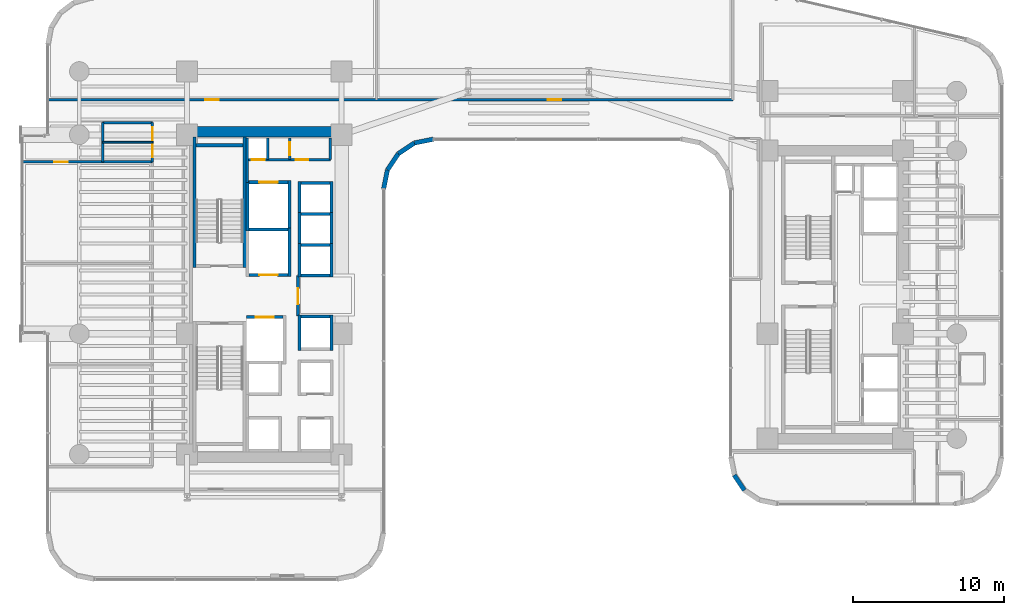
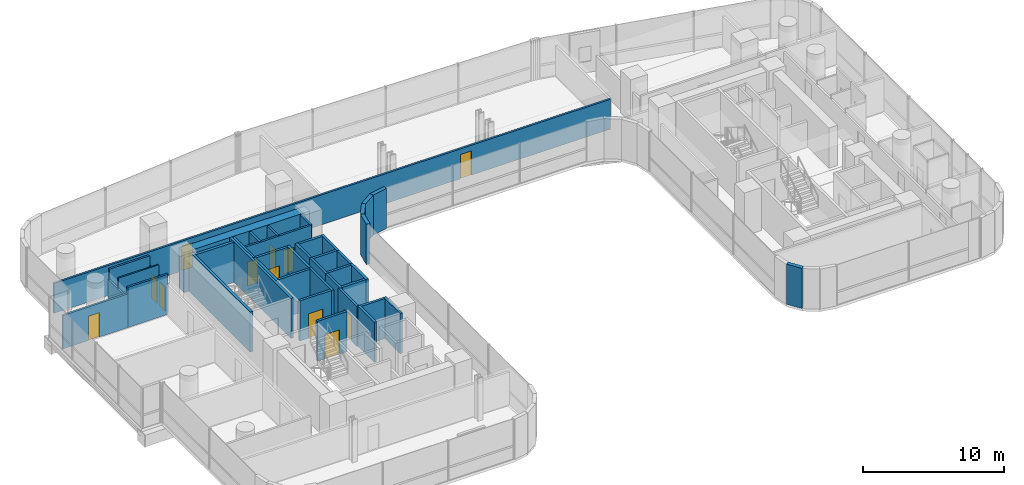
# One storey, part 30 of 39: 42 walls, 12 doors, 12 openings.
"""IFC4 building model written with IfcOpenShell, lengths in metres."""

from ifc_helpers import new_model, si_unit, direction, frame, frame_2d, origin, place, context, subcontext, project, spatial, rectangle, extrude, material, layer, layer_set, type_object, element, fill, save


model = new_model("IFC4")

# Units and contexts
model_context = context("Model", 3, precision=1e-05, world=origin(), true_north=direction((0.0, 1.0)))
body_context = subcontext(model_context, "Body", "Model", "MODEL_VIEW")
ifc_project = project(units=[si_unit("LENGTHUNIT", "METRE"), si_unit("AREAUNIT", "SQUARE_METRE"), si_unit("VOLUMEUNIT", "CUBIC_METRE"), si_unit("PLANEANGLEUNIT", "RADIAN"), si_unit("MASSUNIT", "GRAM", prefix="KILO")], contexts=[model_context])

# Site, building, storey
site_placement = place(None, origin())
site = spatial("IfcSite", under=ifc_project, at=site_placement, CompositionType="ELEMENT")
building_placement = place(site_placement, origin())
building = spatial("IfcBuilding", under=site, at=building_placement, Name="Valdorenza Pilgrim Sanctuary Tower", CompositionType="ELEMENT")
storey_placement = place(building_placement, frame((0.0, 0.0, 74.10009765625)))
storey = spatial("IfcBuildingStorey", under=building, at=storey_placement, Name="L18", CompositionType="ELEMENT", Elevation=74.10009765625)

# Wall
ifc_material_1 = material(Name="Acoustic twin-stud gypsum partition", Category="gypsum")
ifc_layer_1 = layer(ifc_material_1, 0.159912109375, Name="Acoustic twin-stud gypsum partition")
ifc_layer_set_1 = layer_set([ifc_layer_1], Name="Acoustic twin-stud gypsum partition")
wall_type_1 = type_object("IfcWallType", Name="WAL-COR-160", PredefinedType="PARTITIONING", material=ifc_layer_set_1)
wall_1_placement = place(storey_placement, frame((-18.64990234375, 7.449951171875, 0.0), z_axis=(0.0, 0.0, 1.0), x_axis=(0.0, 1.0, 0.0)))
element("IfcWall", 1, at=wall_1_placement, inside=storey, type_object=wall_type_1, Name="L18 Core A North Service West Wall", PredefinedType="PARTITIONING", context=body_context, shape_type="SweptSolid", body=[
    extrude(rectangle(XDim=2.929931640625, YDim=0.159912109375, at=frame_2d((1.46484375, 0.0))), origin(), (0.0, 0.0, 1.0), 3.4599609375),
])

# Wall, openings, doors
wall_2_placement = place(storey_placement, frame((-18.64990234375, 8.949951171875, 0.0), z_axis=(0.0, 0.0, 1.0), x_axis=(1.0, 0.0, 0.0)))
wall_2 = element("IfcWall", 2, at=wall_2_placement, inside=storey, type_object=wall_type_1, Name="L18 Core A North Service South Wall", PredefinedType="PARTITIONING", context=body_context, shape_type="SweptSolid", body=[
    extrude(rectangle(XDim=5.5, YDim=0.159912109375, at=frame_2d((2.75, 0.0))), origin(), (0.0, 0.0, 1.0), 3.4599609375),
])
opening_1_placement = place(wall_2_placement, frame((0.300048828125, 0.0, 0.0)))
opening_1 = element("IfcOpeningElement", 3, at=opening_1_placement, cuts=wall_2, Name="Opening DR-RS1", PredefinedType="OPENING", context=body_context, shape_type="SweptSolid", body=[
    extrude(rectangle(XDim=0.85009765625, YDim=2.050048828125, at=frame_2d((0.425048828125, 1.02490234375))), frame((0.0, 0.0947265625, 0.0), z_axis=(0.0, -1.0, 0.0), x_axis=(1.0, 0.0, 0.0)), (0.0, 0.0, 1.0), 0.189697265625),
])
opening_2_placement = place(wall_2_placement, frame((3.199951171875, 0.0, 0.0)))
opening_2 = element("IfcOpeningElement", 4, at=opening_2_placement, cuts=wall_2, Name="Opening DR-RS1", PredefinedType="OPENING", context=body_context, shape_type="SweptSolid", body=[
    extrude(rectangle(XDim=0.85009765625, YDim=2.050048828125, at=frame_2d((0.425048828125, 1.02490234375))), frame((0.0, 0.0947265625, 0.0), z_axis=(0.0, -1.0, 0.0), x_axis=(1.0, 0.0, 0.0)), (0.0, 0.0, 1.0), 0.189697265625),
])
ifc_material_2 = material(Name="Painted galvanized steel", Category="steel")
door_type_1 = type_object("IfcDoorType", Name="DR-RSR-850", OperationType="NOTDEFINED", PredefinedType="DOOR", material=ifc_material_2)
door_1_placement = place(opening_1_placement, origin())
door_1 = element("IfcDoor", 5, at=door_1_placement, inside=storey, type_object=door_type_1, Name="L18 Core Electrical and Telecom Riser Door", OperationType="SINGLE_SWING_LEFT", OverallHeight=2.050048828125, OverallWidth=0.85009765625, PredefinedType="DOOR", context=body_context, shape_type="SweptSolid", body=[
    extrude(rectangle(XDim=0.85009765625, YDim=2.050048828125, at=frame_2d((0.425048828125, 1.02490234375))), frame((0.0, 0.02490234375, 0.0), z_axis=(0.0, -1.0, 0.0), x_axis=(1.0, 0.0, 0.0)), (0.0, 0.0, 1.0), 0.050048828125),
])
fill(opening_1, door_1)
door_2_placement = place(opening_2_placement, origin())
door_2 = element("IfcDoor", 6, at=door_2_placement, inside=storey, type_object=door_type_1, Name="L18 Housekeeping and Clean Linen Room Door", OperationType="SINGLE_SWING_RIGHT", OverallHeight=2.050048828125, OverallWidth=0.85009765625, PredefinedType="DOOR", context=body_context, shape_type="SweptSolid", body=[
    extrude(rectangle(XDim=0.85009765625, YDim=2.050048828125, at=frame_2d((0.425048828125, 1.02490234375))), frame((0.0, 0.02490234375, 0.0), z_axis=(0.0, -1.0, 0.0), x_axis=(1.0, 0.0, 0.0)), (0.0, 0.0, 1.0), 0.050048828125),
])
fill(opening_2, door_2)

# Walls
for number, where, z_axis, x_axis, name in (
    (7, (-13.14990234375, 8.949951171875, 0.0), (0.0, 0.0, 1.0), (0.0, 1.0, 0.0), "L18 Core A North Service East Wall"),
    (8, (-17.300048828125, 8.949951171875, 0.0), (0.0, 0.0, 1.0), (0.0, 1.0, 0.0), "L18 Core Electrical Riser Wall"),
):
    element("IfcWall", number, at=place(storey_placement, frame(where, z_axis=z_axis, x_axis=x_axis)), inside=storey, type_object=wall_type_1, Name=name, PredefinedType="PARTITIONING", context=body_context, shape_type="SweptSolid", body=[
        extrude(rectangle(XDim=1.429931640625, YDim=0.159912109375, at=frame_2d((0.71484375, 0.0))), origin(), (0.0, 0.0, 1.0), 3.4599609375),
    ])

# Wall, opening, door
wall_3_placement = place(storey_placement, frame((-15.85009765625, 8.949951171875, 0.0), z_axis=(0.0, 0.0, 1.0), x_axis=(0.0, 1.0, 0.0)))
wall_3 = element("IfcWall", 9, at=wall_3_placement, inside=storey, type_object=wall_type_1, Name="L18 Core A Split C", PredefinedType="PARTITIONING", context=body_context, shape_type="SweptSolid", body=[
    extrude(rectangle(XDim=1.429931640625, YDim=0.159912109375, at=frame_2d((0.71484375, 0.0))), origin(), (0.0, 0.0, 1.0), 3.4599609375),
])
opening_3_placement = place(wall_3_placement, frame((0.2900390625, 0.0, 0.0)))
opening_3 = element("IfcOpeningElement", 10, at=opening_3_placement, cuts=wall_3, Name="Opening DR-RS1", PredefinedType="OPENING", context=body_context, shape_type="SweptSolid", body=[
    extrude(rectangle(XDim=0.85009765625, YDim=2.050048828125, at=frame_2d((0.425048828125, 1.02490234375))), frame((0.0, 0.0947265625, 0.0), z_axis=(0.0, -1.0, 0.0), x_axis=(1.0, 0.0, 0.0)), (0.0, 0.0, 1.0), 0.189697265625),
])
door_3_placement = place(opening_3_placement, origin())
door_3 = element("IfcDoor", 11, at=door_3_placement, inside=storey, type_object=door_type_1, Name="L18 Clean Linen Supply Store Door", OperationType="SINGLE_SWING_LEFT", OverallHeight=2.050048828125, OverallWidth=0.85009765625, PredefinedType="DOOR", context=body_context, shape_type="SweptSolid", body=[
    extrude(rectangle(XDim=0.85009765625, YDim=2.050048828125, at=frame_2d((0.425048828125, 1.02490234375))), frame((0.0, 0.02490234375, 0.0), z_axis=(0.0, -1.0, 0.0), x_axis=(1.0, 0.0, 0.0)), (0.0, 0.0, 1.0), 0.050048828125),
])
fill(opening_3, door_3)

# Wall
wall_4_placement = place(storey_placement, frame((-28.25, 8.800048828125, 0.0), z_axis=(0.0, 0.0, 1.0), x_axis=(0.0, 1.0, 0.0)))
element("IfcWall", 12, at=wall_4_placement, inside=storey, type_object=wall_type_1, Name="L18 Washroom West Wall", PredefinedType="PARTITIONING", context=body_context, shape_type="SweptSolid", body=[
    extrude(rectangle(XDim=2.599853515625, YDim=0.159912109375, at=frame_2d((1.2998046875, 0.0))), origin(), (0.0, 0.0, 1.0), 2.5830078125),
])

# Wall, openings, doors
wall_5_placement = place(storey_placement, frame((-24.949951171875, 8.800048828125, 0.0), z_axis=(0.0, 0.0, 1.0), x_axis=(0.0, 1.0, 0.0)))
wall_5 = element("IfcWall", 13, at=wall_5_placement, inside=storey, type_object=wall_type_1, Name="L18 Washroom East Wall", PredefinedType="PARTITIONING", context=body_context, shape_type="SweptSolid", body=[
    extrude(rectangle(XDim=2.599853515625, YDim=0.159912109375, at=frame_2d((1.2998046875, 0.0))), origin(), (0.0, 0.0, 1.0), 2.5830078125),
])
opening_4_placement = place(wall_5_placement, frame((0.300048828125, 0.0, 0.0)))
opening_4 = element("IfcOpeningElement", 14, at=opening_4_placement, cuts=wall_5, Name="Opening DR-WC1", PredefinedType="OPENING", context=body_context, shape_type="SweptSolid", body=[
    extrude(rectangle(XDim=0.85009765625, YDim=2.10009765625, at=frame_2d((0.425048828125, 1.050048828125))), frame((0.0, 0.0947265625, 0.0), z_axis=(0.0, -1.0, 0.0), x_axis=(1.0, 0.0, 0.0)), (0.0, 0.0, 1.0), 0.189697265625),
])
opening_5_placement = place(wall_5_placement, frame((1.449951171875, 0.0, 0.0)))
opening_5 = element("IfcOpeningElement", 15, at=opening_5_placement, cuts=wall_5, Name="Opening DR-WC1", PredefinedType="OPENING", context=body_context, shape_type="SweptSolid", body=[
    extrude(rectangle(XDim=0.85009765625, YDim=2.10009765625, at=frame_2d((0.425048828125, 1.050048828125))), frame((0.0, 0.0947265625, 0.0), z_axis=(0.0, -1.0, 0.0), x_axis=(1.0, 0.0, 0.0)), (0.0, 0.0, 1.0), 0.189697265625),
])
ifc_material_3 = material(Name="Moisture-resistant lacquered timber", Category="wood")
door_type_2 = type_object("IfcDoorType", Name="DR-BATH-850", OperationType="NOTDEFINED", PredefinedType="DOOR", material=ifc_material_3)
door_4_placement = place(opening_4_placement, origin())
door_4 = element("IfcDoor", 16, at=door_4_placement, inside=storey, type_object=door_type_2, Name="L18 Accessible Washroom Door", OperationType="SINGLE_SWING_RIGHT", OverallHeight=2.10009765625, OverallWidth=0.85009765625, PredefinedType="DOOR", context=body_context, shape_type="SweptSolid", body=[
    extrude(rectangle(XDim=0.85009765625, YDim=2.10009765625, at=frame_2d((0.425048828125, 1.050048828125))), frame((0.0, 0.02490234375, 0.0), z_axis=(0.0, -1.0, 0.0), x_axis=(1.0, 0.0, 0.0)), (0.0, 0.0, 1.0), 0.050048828125),
])
fill(opening_4, door_4)
door_5_placement = place(opening_5_placement, origin())
door_5 = element("IfcDoor", 17, at=door_5_placement, inside=storey, type_object=door_type_2, Name="L18 Public Washroom Door", OperationType="SINGLE_SWING_LEFT", OverallHeight=2.10009765625, OverallWidth=0.85009765625, PredefinedType="DOOR", context=body_context, shape_type="SweptSolid", body=[
    extrude(rectangle(XDim=0.85009765625, YDim=2.10009765625, at=frame_2d((0.425048828125, 1.050048828125))), frame((0.0, 0.02490234375, 0.0), z_axis=(0.0, -1.0, 0.0), x_axis=(1.0, 0.0, 0.0)), (0.0, 0.0, 1.0), 0.050048828125),
])
fill(opening_5, door_5)

# Walls
for number, where, z_axis, x_axis, name in (
    (18, (-28.25, 8.800048828125, 0.0), (0.0, 0.0, 1.0), (1.0, 0.0, 0.0), "L18 Washroom South Wall"),
    (19, (-28.25, 11.39990234375, 0.0), (0.0, 0.0, 1.0), (1.0, 0.0, 0.0), "L18 Washroom North Wall"),
):
    element("IfcWall", number, at=place(storey_placement, frame(where, z_axis=z_axis, x_axis=x_axis)), inside=storey, type_object=wall_type_1, Name=name, PredefinedType="PARTITIONING", context=body_context, shape_type="SweptSolid", body=[
        extrude(rectangle(XDim=3.300048828125, YDim=0.159912109375, at=frame_2d((1.64990234375, 0.0))), origin(), (0.0, 0.0, 1.0), 3.4599609375),
    ])

# Wall, opening, door
wall_6_placement = place(storey_placement, frame((-33.5400390625, 8.800048828125, 0.0), z_axis=(0.0, 0.0, 1.0), x_axis=(1.0, 0.0, 0.0)))
wall_6 = element("IfcWall", 20, at=wall_6_placement, inside=storey, type_object=wall_type_1, Name="L18 West North Alcove Wall", PredefinedType="PARTITIONING", context=body_context, shape_type="SweptSolid", body=[
    extrude(rectangle(XDim=5.2900390625, YDim=0.159912109375, at=frame_2d((2.64501953125, 0.0))), origin(), (0.0, 0.0, 1.0), 2.89599609375),
])
opening_6_placement = place(wall_6_placement, frame((2.080078125, 0.0, 0.0)))
opening_6 = element("IfcOpeningElement", 21, at=opening_6_placement, cuts=wall_6, Name="Opening DR-RM1", PredefinedType="OPENING", context=body_context, shape_type="SweptSolid", body=[
    extrude(rectangle(XDim=0.89990234375, YDim=2.10009765625, at=frame_2d((0.449951171875, 1.050048828125))), frame((0.0, 0.0947265625, 0.0), z_axis=(0.0, -1.0, 0.0), x_axis=(1.0, 0.0, 0.0)), (0.0, 0.0, 1.0), 0.189697265625),
])
ifc_material_4 = material(Name="Solid-core European oak timber", Category="wood")
door_type_3 = type_object("IfcDoorType", Name="DR-ROOM-900", OperationType="NOTDEFINED", PredefinedType="DOOR", material=ifc_material_4)
door_6_placement = place(opening_6_placement, origin())
door_6 = element("IfcDoor", 22, at=door_6_placement, inside=storey, type_object=door_type_3, Name="L18 Pilgrim Scholar Office L18-WN Door", OperationType="SINGLE_SWING_RIGHT", OverallHeight=2.10009765625, OverallWidth=0.89990234375, PredefinedType="DOOR", context=body_context, shape_type="SweptSolid", body=[
    extrude(rectangle(XDim=0.89990234375, YDim=2.10009765625, at=frame_2d((0.449951171875, 1.050048828125))), frame((0.0, 0.02490234375, 0.0), z_axis=(0.0, -1.0, 0.0), x_axis=(1.0, 0.0, 0.0)), (0.0, 0.0, 1.0), 0.050048828125),
])
fill(opening_6, door_6)

# Wall, openings, doors
wall_7_placement = place(storey_placement, frame((-31.889892578125, 12.919921875, 0.0), z_axis=(0.0, 0.0, 1.0), x_axis=(1.0, 0.0, 0.0)))
wall_7 = element("IfcWall", 23, at=wall_7_placement, inside=storey, type_object=wall_type_1, Name="L18 North Corridor Wall", PredefinedType="PARTITIONING", context=body_context, shape_type="SweptSolid", body=[
    extrude(rectangle(XDim=45.43994140625, YDim=0.159912109375, at=frame_2d((22.719970703125, 0.0))), origin(), (0.0, 0.0, 1.0), 2.5830078125),
])
opening_7_placement = place(wall_7_placement, frame((10.447998046875, 0.0, 0.0)))
opening_7 = element("IfcOpeningElement", 24, at=opening_7_placement, cuts=wall_7, Name="Opening DR-RM1", PredefinedType="OPENING", context=body_context, shape_type="SweptSolid", body=[
    extrude(rectangle(XDim=0.89990234375, YDim=2.10009765625, at=frame_2d((0.449951171875, 1.050048828125))), frame((0.0, 0.0947265625, 0.0), z_axis=(0.0, -1.0, 0.0), x_axis=(1.0, 0.0, 0.0)), (0.0, 0.0, 1.0), 0.189697265625),
])
opening_8_placement = place(wall_7_placement, frame((33.1669921875, 0.0, 0.0)))
opening_8 = element("IfcOpeningElement", 25, at=opening_8_placement, cuts=wall_7, Name="Opening DR-RM1", PredefinedType="OPENING", context=body_context, shape_type="SweptSolid", body=[
    extrude(rectangle(XDim=0.89990234375, YDim=2.10009765625, at=frame_2d((0.449951171875, 1.050048828125))), frame((0.0, 0.0947265625, 0.0), z_axis=(0.0, -1.0, 0.0), x_axis=(1.0, 0.0, 0.0)), (0.0, 0.0, 1.0), 0.189697265625),
])
door_7_placement = place(opening_7_placement, frame((0.89990234375, 0.0, 0.0), z_axis=(0.0, 0.0, 1.0), x_axis=(-1.0, 0.0, 0.0)))
door_7 = element("IfcDoor", 26, at=door_7_placement, inside=storey, type_object=door_type_3, Name="L18 Private Banquet Dining Room L18-N1 Door", OperationType="SINGLE_SWING_LEFT", OverallHeight=2.10009765625, OverallWidth=0.89990234375, PredefinedType="DOOR", context=body_context, shape_type="SweptSolid", body=[
    extrude(rectangle(XDim=0.89990234375, YDim=2.10009765625, at=frame_2d((0.449951171875, 1.050048828125))), frame((0.0, 0.02490234375, 0.0), z_axis=(0.0, -1.0, 0.0), x_axis=(1.0, 0.0, 0.0)), (0.0, 0.0, 1.0), 0.050048828125),
])
fill(opening_7, door_7)
door_8_placement = place(opening_8_placement, origin())
door_8 = element("IfcDoor", 27, at=door_8_placement, inside=storey, type_object=door_type_3, Name="L18 Private Banquet Dining Room L18-N2 Door", OperationType="SINGLE_SWING_RIGHT", OverallHeight=2.10009765625, OverallWidth=0.89990234375, PredefinedType="DOOR", context=body_context, shape_type="SweptSolid", body=[
    extrude(rectangle(XDim=0.89990234375, YDim=2.10009765625, at=frame_2d((0.449951171875, 1.050048828125))), frame((0.0, 0.02490234375, 0.0), z_axis=(0.0, -1.0, 0.0), x_axis=(1.0, 0.0, 0.0)), (0.0, 0.0, 1.0), 0.050048828125),
])
fill(opening_8, door_8)

# Walls
ifc_material_5 = material(Name="Concrete C60/75", Category="concrete")
ifc_layer_2 = layer(ifc_material_5, 0.699951171875, Name="Concrete C60/75")
ifc_layer_set_2 = layer_set([ifc_layer_2], Name="Concrete C60/75")
wall_type_2 = type_object("IfcWallType", Name="WAL-COR-700", PredefinedType="SHEAR", material=ifc_layer_set_2)
wall_8_placement = place(storey_placement, frame((-22.64990234375, 10.800048828125, 0.0), z_axis=(0.0, 0.0, 1.0), x_axis=(1.0, 0.0, 0.0)))
element("IfcWall", 28, at=wall_8_placement, inside=storey, type_object=wall_type_2, Name="L18 Split Core A Shear Wall N", PredefinedType="SHEAR", context=body_context, shape_type="SweptSolid", body=[
    extrude(rectangle(XDim=10.25, YDim=0.699951171875, at=frame_2d((5.125, 0.0))), origin(), (0.0, 0.0, 1.0), 3.4599609375),
])
ifc_material_6 = material(Name="Honed travertine limestone", Category="masonry")
ifc_layer_3 = layer(ifc_material_6, 0.300048828125, Name="Honed travertine limestone")
ifc_layer_set_3 = layer_set([ifc_layer_3], Name="Honed travertine limestone")
wall_type_3 = type_object("IfcWallType", Name="WAL-EXT-300", PredefinedType="SOLIDWALL", material=ifc_layer_set_3)
wall_9_placement = place(storey_placement, frame((14.316650390625, -12.9833984375, 0.0), z_axis=(0.0, 0.0, 1.0), x_axis=(-0.555635100982, 0.831426265255, 0.0)))
element("IfcWall", 29, at=wall_9_placement, inside=storey, type_object=wall_type_3, Name="L18 Rounded Wind-Corner Stone Pier 29", PredefinedType="SOLIDWALL", context=body_context, shape_type="SweptSolid", body=[
    extrude(rectangle(XDim=1.204833984375, YDim=0.300048828125, at=frame_2d((0.6025390625, 0.0))), origin(), (0.0, 0.0, 1.0), 3.4599609375),
])
wall_10_placement = place(storey_placement, frame((-6.310791015625, 10.31005859375, 0.0), z_axis=(0.0, 0.0, 1.0), x_axis=(-0.980778058848, -0.195126623715, 0.0)))
element("IfcWall", 30, at=wall_10_placement, inside=storey, type_object=wall_type_3, Name="L18 Rounded Wind-Corner Stone Pier 37", PredefinedType="SOLIDWALL", context=body_context, shape_type="SweptSolid", body=[
    extrude(rectangle(XDim=1.28125, YDim=0.300048828125, at=frame_2d((0.640625, 0.0))), origin(), (0.0, 0.0, 1.0), 3.4599609375),
])
wall_11_placement = place(storey_placement, frame((-7.5673828125, 10.06005859375, 0.0), z_axis=(0.0, 0.0, 1.0), x_axis=(-0.831497739511, -0.555528135371, 0.0)))
element("IfcWall", 31, at=wall_11_placement, inside=storey, type_object=wall_type_3, Name="L18 Rounded Wind-Corner Stone Pier 38", PredefinedType="SOLIDWALL", context=body_context, shape_type="SweptSolid", body=[
    extrude(rectangle(XDim=1.29248046875, YDim=0.300048828125, at=frame_2d((0.646240234375, 0.0))), origin(), (0.0, 0.0, 1.0), 3.4599609375),
])
wall_12_placement = place(storey_placement, frame((-8.64208984375, 9.342041015625, 0.0), z_axis=(0.0, 0.0, 1.0), x_axis=(-0.555615398575, -0.831439431869, 0.0)))
element("IfcWall", 32, at=wall_12_placement, inside=storey, type_object=wall_type_3, Name="L18 Rounded Wind-Corner Stone Pier 39", PredefinedType="SOLIDWALL", context=body_context, shape_type="SweptSolid", body=[
    extrude(rectangle(XDim=1.292236328125, YDim=0.300048828125, at=frame_2d((0.64599609375, 0.0))), origin(), (0.0, 0.0, 1.0), 3.4599609375),
])
wall_13_placement = place(storey_placement, frame((-9.360107421875, 8.267578125, 0.0), z_axis=(0.0, 0.0, 1.0), x_axis=(-0.195090163074, -0.980785312019, 0.0)))
element("IfcWall", 33, at=wall_13_placement, inside=storey, type_object=wall_type_3, Name="L18 Rounded Wind-Corner Stone Pier 40", PredefinedType="SOLIDWALL", context=body_context, shape_type="SweptSolid", body=[
    extrude(rectangle(XDim=1.281494140625, YDim=0.300048828125, at=frame_2d((0.640625, 0.0))), origin(), (0.0, 0.0, 1.0), 3.4599609375),
])

# Wall, opening, door
ifc_material_7 = material(Name="Gypsum shaftwall partition", Category="gypsum")
ifc_layer_4 = layer(ifc_material_7, 0.199951171875, Name="Gypsum shaftwall partition")
ifc_layer_set_4 = layer_set([ifc_layer_4], Name="Gypsum shaftwall partition")
wall_type_4 = type_object("IfcWallType", Name="WAL-FFL-200", PredefinedType="PARTITIONING", material=ifc_layer_set_4)
wall_14_placement = place(storey_placement, frame((-15.300048828125, -1.419921875, 0.0), z_axis=(0.0, 0.0, 1.0), x_axis=(0.0, 1.0, 0.0)))
wall_14 = element("IfcWall", 34, at=wall_14_placement, inside=storey, type_object=wall_type_4, Name="L18 Core A Firefighting Lobby East Wall", PredefinedType="PARTITIONING", context=body_context, shape_type="SweptSolid", body=[
    extrude(rectangle(XDim=2.669921875, YDim=0.199951171875, at=frame_2d((1.3349609375, 0.0))), origin(), (0.0, 0.0, 1.0), 3.4599609375),
])
opening_9_placement = place(wall_14_placement, frame((0.780029296875, 0.0, 0.0)))
opening_9 = element("IfcOpeningElement", 35, at=opening_9_placement, cuts=wall_14, Name="Opening DR-FL1", PredefinedType="OPENING", context=body_context, shape_type="SweptSolid", body=[
    extrude(rectangle(XDim=1.050048828125, YDim=2.14990234375, at=frame_2d((0.52490234375, 1.074951171875))), frame((0.0, 0.11474609375, 0.0), z_axis=(0.0, -1.0, 0.0), x_axis=(1.0, 0.0, 0.0)), (0.0, 0.0, 1.0), 0.229736328125),
])
door_type_4 = type_object("IfcDoorType", Name="DR-FFL-1050", OperationType="NOTDEFINED", PredefinedType="DOOR", material=ifc_material_2)
door_9_placement = place(opening_9_placement, origin())
door_9 = element("IfcDoor", 36, at=door_9_placement, inside=storey, type_object=door_type_4, Name="L18 Core A Firefighting Lobby Door", OperationType="SINGLE_SWING_RIGHT", OverallHeight=2.14990234375, OverallWidth=1.050048828125, PredefinedType="DOOR", context=body_context, shape_type="SweptSolid", body=[
    extrude(rectangle(XDim=1.050048828125, YDim=2.14990234375, at=frame_2d((0.52490234375, 1.074951171875))), frame((0.0, 0.02490234375, 0.0), z_axis=(0.0, -1.0, 0.0), x_axis=(1.0, 0.0, 0.0)), (0.0, 0.0, 1.0), 0.050048828125),
])
fill(opening_9, door_9)

# Walls
ifc_material_8 = material(Name="Moisture-resistant gypsum partition", Category="gypsum")
ifc_layer_5 = layer(ifc_material_8, 0.1201171875, Name="Moisture-resistant gypsum partition")
ifc_layer_set_5 = layer_set([ifc_layer_5], Name="Moisture-resistant gypsum partition")
wall_type_5 = type_object("IfcWallType", Name="WAL-INT-120", PredefinedType="PARTITIONING", material=ifc_layer_set_5)
wall_15_placement = place(storey_placement, frame((-28.25, 10.10009765625, 0.0), z_axis=(0.0, 0.0, 1.0), x_axis=(1.0, 0.0, 0.0)))
element("IfcWall", 37, at=wall_15_placement, inside=storey, type_object=wall_type_5, Name="L18 Washroom Divider Wall", PredefinedType="PARTITIONING", context=body_context, shape_type="SweptSolid", body=[
    extrude(rectangle(XDim=3.300048828125, YDim=0.1201171875, at=frame_2d((1.64990234375, 0.0))), origin(), (0.0, 0.0, 1.0), 3.4599609375),
])
ifc_material_9 = material(Name="Autoclaved aerated concrete blockwork", Category="masonry")
ifc_layer_6 = layer(ifc_material_9, 0.199951171875, Name="Autoclaved aerated concrete blockwork")
ifc_layer_set_6 = layer_set([ifc_layer_6], Name="Autoclaved aerated concrete blockwork")
wall_type_6 = type_object("IfcWallType", Name="WAL-SHF-200", PredefinedType="MOVABLE", material=ifc_layer_set_6)
wall_16_placement = place(storey_placement, frame((-15.85009765625, 1.199951171875, 0.0), z_axis=(0.0, 0.0, 1.0), x_axis=(0.0, 1.0, 0.0)))
element("IfcWall", 38, at=wall_16_placement, inside=storey, type_object=wall_type_6, Name="L18 Lift FFL-01 Hoistway Wall East", PredefinedType="MOVABLE", context=body_context, shape_type="SweptSolid", body=[
    extrude(rectangle(XDim=3.22509765625, YDim=0.199951171875, at=frame_2d((1.612548828125, 0.0))), origin(), (0.0, 0.0, 1.0), 3.4599609375),
])

# Wall, opening, door
wall_17_placement = place(storey_placement, frame((-18.550048828125, 1.300048828125, 0.0), z_axis=(0.0, 0.0, 1.0), x_axis=(1.0, 0.0, 0.0)))
wall_17 = element("IfcWall", 39, at=wall_17_placement, inside=storey, type_object=wall_type_6, Name="L18 Lift FFL-01 Hoistway Wall South", PredefinedType="MOVABLE", context=body_context, shape_type="SweptSolid", body=[
    extrude(rectangle(XDim=2.60009765625, YDim=0.199951171875, at=frame_2d((1.300048828125, 0.0))), origin(), (0.0, 0.0, 1.0), 3.4599609375),
])
opening_10_placement = place(wall_17_placement, frame((0.699951171875, 0.0, 0.0)))
opening_10 = element("IfcOpeningElement", 40, at=opening_10_placement, cuts=wall_17, Name="Opening LD-02", PredefinedType="OPENING", context=body_context, shape_type="SweptSolid", body=[
    extrude(rectangle(XDim=1.199951171875, YDim=2.10009765625, at=frame_2d((0.60009765625, 1.050048828125))), frame((0.0, 0.11474609375, 0.0), z_axis=(0.0, -1.0, 0.0), x_axis=(1.0, 0.0, 0.0)), (0.0, 0.0, 1.0), 0.229736328125),
])
ifc_material_10 = material(Name="Brushed stainless steel Grade 316", Category="steel")
door_type_5 = type_object("IfcDoorType", Name="DR-LFT-1200", OperationType="DOUBLE_DOOR_SLIDING", PredefinedType="DOOR", material=ifc_material_10)
door_10_placement = place(opening_10_placement, origin())
door_10 = element("IfcDoor", 41, at=door_10_placement, inside=storey, type_object=door_type_5, Name="L18 Lift FFL-01 Sliding Landing Door", OperationType="DOUBLE_DOOR_SLIDING", OverallHeight=2.10009765625, OverallWidth=1.199951171875, PredefinedType="DOOR", context=body_context, shape_type="SweptSolid", body=[
    extrude(rectangle(XDim=1.199951171875, YDim=2.10009765625, at=frame_2d((0.60009765625, 1.050048828125))), frame((0.0, 0.02490234375, 0.0), z_axis=(0.0, -1.0, 0.0), x_axis=(1.0, 0.0, 0.0)), (0.0, 0.0, 1.0), 0.050048828125),
])
fill(opening_10, door_10)

# Wall
wall_18_placement = place(storey_placement, frame((-18.550048828125, 4.324951171875, 0.0), z_axis=(0.0, 0.0, 1.0), x_axis=(1.0, 0.0, 0.0)))
element("IfcWall", 42, at=wall_18_placement, inside=storey, type_object=wall_type_6, Name="L18 Lift FFL-01 Hoistway Wall North", PredefinedType="MOVABLE", context=body_context, shape_type="SweptSolid", body=[
    extrude(rectangle(XDim=2.60009765625, YDim=0.199951171875, at=frame_2d((1.300048828125, 0.0))), origin(), (0.0, 0.0, 1.0), 3.4599609375),
])

# Wall, opening, door
wall_19_placement = place(storey_placement, frame((-18.719970703125, -1.5, 0.0), z_axis=(0.0, 0.0, 1.0), x_axis=(1.0, 0.0, 0.0)))
wall_19 = element("IfcWall", 43, at=wall_19_placement, inside=storey, type_object=wall_type_6, Name="L18 Lift FFL-02 Hoistway Wall North", PredefinedType="MOVABLE", context=body_context, shape_type="SweptSolid", body=[
    extrude(rectangle(XDim=2.419921875, YDim=0.199951171875, at=frame_2d((1.2099609375, 0.0))), origin(), (0.0, 0.0, 1.0), 3.4599609375),
])
opening_11_placement = place(wall_19_placement, frame((0.610107421875, 0.0, 0.0)))
opening_11 = element("IfcOpeningElement", 44, at=opening_11_placement, cuts=wall_19, Name="Opening LD-02", PredefinedType="OPENING", context=body_context, shape_type="SweptSolid", body=[
    extrude(rectangle(XDim=1.199951171875, YDim=2.10009765625, at=frame_2d((0.60009765625, 1.050048828125))), frame((0.0, 0.11474609375, 0.0), z_axis=(0.0, -1.0, 0.0), x_axis=(1.0, 0.0, 0.0)), (0.0, 0.0, 1.0), 0.229736328125),
])
door_11_placement = place(opening_11_placement, origin())
door_11 = element("IfcDoor", 45, at=door_11_placement, inside=storey, type_object=door_type_5, Name="L18 Lift FFL-02 Sliding Landing Door", OperationType="DOUBLE_DOOR_SLIDING", OverallHeight=2.10009765625, OverallWidth=1.199951171875, PredefinedType="DOOR", context=body_context, shape_type="SweptSolid", body=[
    extrude(rectangle(XDim=1.199951171875, YDim=2.10009765625, at=frame_2d((0.60009765625, 1.050048828125))), frame((0.0, 0.02490234375, 0.0), z_axis=(0.0, -1.0, 0.0), x_axis=(1.0, 0.0, 0.0)), (0.0, 0.0, 1.0), 0.050048828125),
])
fill(opening_11, door_11)

# Walls
for number, where, z_axis, x_axis, name in (
    (46, (-18.64990234375, 4.22509765625, 0.0), (0.0, 0.0, 1.0), (0.0, 1.0, 0.0), "L18 Lift SVL-01 Hoistway Wall West"),
    (47, (-15.85009765625, 4.22509765625, 0.0), (0.0, 0.0, 1.0), (0.0, 1.0, 0.0), "L18 Lift SVL-01 Hoistway Wall East"),
):
    element("IfcWall", number, at=place(storey_placement, frame(where, z_axis=z_axis, x_axis=x_axis)), inside=storey, type_object=wall_type_6, Name=name, PredefinedType="MOVABLE", context=body_context, shape_type="SweptSolid", body=[
        extrude(rectangle(XDim=3.324951171875, YDim=0.199951171875, at=frame_2d((1.66259765625, 0.0))), origin(), (0.0, 0.0, 1.0), 3.4599609375),
    ])

# Wall, opening, door
wall_20_placement = place(storey_placement, frame((-18.550048828125, 7.449951171875, 0.0), z_axis=(0.0, 0.0, 1.0), x_axis=(1.0, 0.0, 0.0)))
wall_20 = element("IfcWall", 48, at=wall_20_placement, inside=storey, type_object=wall_type_6, Name="L18 Lift SVL-01 Hoistway Wall North", PredefinedType="MOVABLE", context=body_context, shape_type="SweptSolid", body=[
    extrude(rectangle(XDim=2.60009765625, YDim=0.199951171875, at=frame_2d((1.300048828125, 0.0))), origin(), (0.0, 0.0, 1.0), 3.4599609375),
])
opening_12_placement = place(wall_20_placement, frame((0.699951171875, 0.0, 0.0)))
opening_12 = element("IfcOpeningElement", 49, at=opening_12_placement, cuts=wall_20, Name="Opening LD-02", PredefinedType="OPENING", context=body_context, shape_type="SweptSolid", body=[
    extrude(rectangle(XDim=1.199951171875, YDim=2.10009765625, at=frame_2d((0.60009765625, 1.050048828125))), frame((0.0, 0.11474609375, 0.0), z_axis=(0.0, -1.0, 0.0), x_axis=(1.0, 0.0, 0.0)), (0.0, 0.0, 1.0), 0.229736328125),
])
door_12_placement = place(opening_12_placement, origin())
door_12 = element("IfcDoor", 50, at=door_12_placement, inside=storey, type_object=door_type_5, Name="L18 Lift SVL-01 Sliding Landing Door", OperationType="DOUBLE_DOOR_SLIDING", OverallHeight=2.10009765625, OverallWidth=1.199951171875, PredefinedType="DOOR", context=body_context, shape_type="SweptSolid", body=[
    extrude(rectangle(XDim=1.199951171875, YDim=2.10009765625, at=frame_2d((0.60009765625, 1.050048828125))), frame((0.0, 0.02490234375, 0.0), z_axis=(0.0, -1.0, 0.0), x_axis=(1.0, 0.0, 0.0)), (0.0, 0.0, 1.0), 0.050048828125),
])
fill(opening_12, door_12)

# Walls
for number, where, z_axis, x_axis, name in (
    (51, (-15.199951171875, 1.14990234375, 0.0), (0.0, 0.0, 1.0), (0.0, 1.0, 0.0), "L18 Lift PL-06 Hoistway Wall West"),
    (52, (-13.080078125, 1.14990234375, 0.0), (0.0, 0.0, 1.0), (0.0, 1.0, 0.0), "L18 Lift PL-06 Hoistway Wall East"),
):
    element("IfcWall", number, at=place(storey_placement, frame(where, z_axis=z_axis, x_axis=x_axis)), inside=storey, type_object=wall_type_6, Name=name, PredefinedType="MOVABLE", context=body_context, shape_type="SweptSolid", body=[
        extrude(rectangle(XDim=2.25, YDim=0.199951171875, at=frame_2d((1.125, 0.0))), origin(), (0.0, 0.0, 1.0), 3.4599609375),
    ])
wall_21_placement = place(storey_placement, frame((-15.10009765625, 1.25, 0.0), z_axis=(0.0, 0.0, 1.0), x_axis=(1.0, 0.0, 0.0)))
element("IfcWall", 53, at=wall_21_placement, inside=storey, type_object=wall_type_6, Name="L18 Lift PL-06 Hoistway Wall South", PredefinedType="MOVABLE", context=body_context, shape_type="SweptSolid", body=[
    extrude(rectangle(XDim=1.920166015625, YDim=0.199951171875, at=frame_2d((0.9599609375, 0.0))), origin(), (0.0, 0.0, 1.0), 3.4599609375),
])
for number, where, z_axis, x_axis, name in (
    (54, (-15.199951171875, 3.199951171875, 0.0), (0.0, 0.0, 1.0), (0.0, 1.0, 0.0), "L18 Lift PL-09 Hoistway Wall West"),
    (55, (-13.080078125, 3.199951171875, 0.0), (0.0, 0.0, 1.0), (0.0, 1.0, 0.0), "L18 Lift PL-09 Hoistway Wall East"),
):
    element("IfcWall", number, at=place(storey_placement, frame(where, z_axis=z_axis, x_axis=x_axis)), inside=storey, type_object=wall_type_6, Name=name, PredefinedType="MOVABLE", context=body_context, shape_type="SweptSolid", body=[
        extrude(rectangle(XDim=2.25, YDim=0.199951171875, at=frame_2d((1.125, 0.0))), origin(), (0.0, 0.0, 1.0), 3.4599609375),
    ])
for number, where, z_axis, x_axis, name in (
    (56, (-15.10009765625, 3.300048828125, 0.0), (0.0, 0.0, 1.0), (1.0, 0.0, 0.0), "L18 Lift PL-09 Hoistway Wall South"),
    (57, (-15.10009765625, 5.35009765625, 0.0), (0.0, 0.0, 1.0), (1.0, 0.0, 0.0), "L18 Lift PL-09 Hoistway Wall North"),
):
    element("IfcWall", number, at=place(storey_placement, frame(where, z_axis=z_axis, x_axis=x_axis)), inside=storey, type_object=wall_type_6, Name=name, PredefinedType="MOVABLE", context=body_context, shape_type="SweptSolid", body=[
        extrude(rectangle(XDim=1.920166015625, YDim=0.199951171875, at=frame_2d((0.9599609375, 0.0))), origin(), (0.0, 0.0, 1.0), 3.4599609375),
    ])
for number, where, z_axis, x_axis, name in (
    (58, (-15.199951171875, 5.25, 0.0), (0.0, 0.0, 1.0), (0.0, 1.0, 0.0), "L18 Lift PL-10 Hoistway Wall West"),
    (59, (-13.080078125, 5.25, 0.0), (0.0, 0.0, 1.0), (0.0, 1.0, 0.0), "L18 Lift PL-10 Hoistway Wall East"),
):
    element("IfcWall", number, at=place(storey_placement, frame(where, z_axis=z_axis, x_axis=x_axis)), inside=storey, type_object=wall_type_6, Name=name, PredefinedType="MOVABLE", context=body_context, shape_type="SweptSolid", body=[
        extrude(rectangle(XDim=2.25, YDim=0.199951171875, at=frame_2d((1.125, 0.0))), origin(), (0.0, 0.0, 1.0), 3.4599609375),
    ])
wall_22_placement = place(storey_placement, frame((-15.10009765625, 7.39990234375, 0.0), z_axis=(0.0, 0.0, 1.0), x_axis=(1.0, 0.0, 0.0)))
element("IfcWall", 60, at=wall_22_placement, inside=storey, type_object=wall_type_6, Name="L18 Lift PL-10 Hoistway Wall North", PredefinedType="MOVABLE", context=body_context, shape_type="SweptSolid", body=[
    extrude(rectangle(XDim=1.920166015625, YDim=0.199951171875, at=frame_2d((0.9599609375, 0.0))), origin(), (0.0, 0.0, 1.0), 3.4599609375),
])
for number, where, z_axis, x_axis, name in (
    (61, (-15.199951171875, -3.699951171875, 0.0), (0.0, 0.0, 1.0), (0.0, 1.0, 0.0), "L18 Lift PL-12 Hoistway Wall West"),
    (62, (-13.080078125, -3.699951171875, 0.0), (0.0, 0.0, 1.0), (0.0, 1.0, 0.0), "L18 Lift PL-12 Hoistway Wall East"),
):
    element("IfcWall", number, at=place(storey_placement, frame(where, z_axis=z_axis, x_axis=x_axis)), inside=storey, type_object=wall_type_6, Name=name, PredefinedType="MOVABLE", context=body_context, shape_type="SweptSolid", body=[
        extrude(rectangle(XDim=2.349853515625, YDim=0.199951171875, at=frame_2d((1.1748046875, 0.0))), origin(), (0.0, 0.0, 1.0), 3.4599609375),
    ])
wall_23_placement = place(storey_placement, frame((-15.10009765625, -1.449951171875, 0.0), z_axis=(0.0, 0.0, 1.0), x_axis=(1.0, 0.0, 0.0)))
element("IfcWall", 63, at=wall_23_placement, inside=storey, type_object=wall_type_6, Name="L18 Lift PL-12 Hoistway Wall North", PredefinedType="MOVABLE", context=body_context, shape_type="SweptSolid", body=[
    extrude(rectangle(XDim=1.920166015625, YDim=0.199951171875, at=frame_2d((0.9599609375, 0.0))), origin(), (0.0, 0.0, 1.0), 3.4599609375),
])
ifc_material_11 = material(Name="Concrete C40/50", Category="concrete")
ifc_layer_7 = layer(ifc_material_11, 0.219970703125, Name="Concrete C40/50")
ifc_layer_set_7 = layer_set([ifc_layer_7], Name="Concrete C40/50")
wall_type_7 = type_object("IfcWallType", Name="WAL-STR-SHF-220", PredefinedType="SHEAR", material=ifc_layer_set_7)
for number, where, z_axis, x_axis, name in (
    (64, (-22.159912109375, 1.780029296875, 0.0), (0.0, 0.0, 1.0), (0.0, 1.0, 0.0), "L18 ST-A1 Structural Stairwell Wall W"),
    (65, (-18.830078125, 1.780029296875, 0.0), (0.0, 0.0, 1.0), (0.0, 1.0, 0.0), "L18 ST-A1 Structural Stairwell Wall E"),
):
    element("IfcWall", number, at=place(storey_placement, frame(where, z_axis=z_axis, x_axis=x_axis)), inside=storey, type_object=wall_type_7, Name=name, PredefinedType="SHEAR", context=body_context, shape_type="SweptSolid", body=[
        extrude(rectangle(XDim=8.669921875, YDim=0.219970703125, at=frame_2d((4.3349609375, 0.0))), origin(), (0.0, 0.0, 1.0), 3.4599609375),
    ])
wall_24_placement = place(storey_placement, frame((-22.050048828125, 9.909912109375, 0.0), z_axis=(0.0, 0.0, 1.0), x_axis=(1.0, 0.0, 0.0)))
element("IfcWall", 66, at=wall_24_placement, inside=storey, type_object=wall_type_7, Name="L18 ST-A1 Structural Stairwell Wall N", PredefinedType="SHEAR", context=body_context, shape_type="SweptSolid", body=[
    extrude(rectangle(XDim=3.110107421875, YDim=0.219970703125, at=frame_2d((1.55517578125, 0.0))), origin(), (0.0, 0.0, 1.0), 3.4599609375),
])

save(model, "model.ifc")
